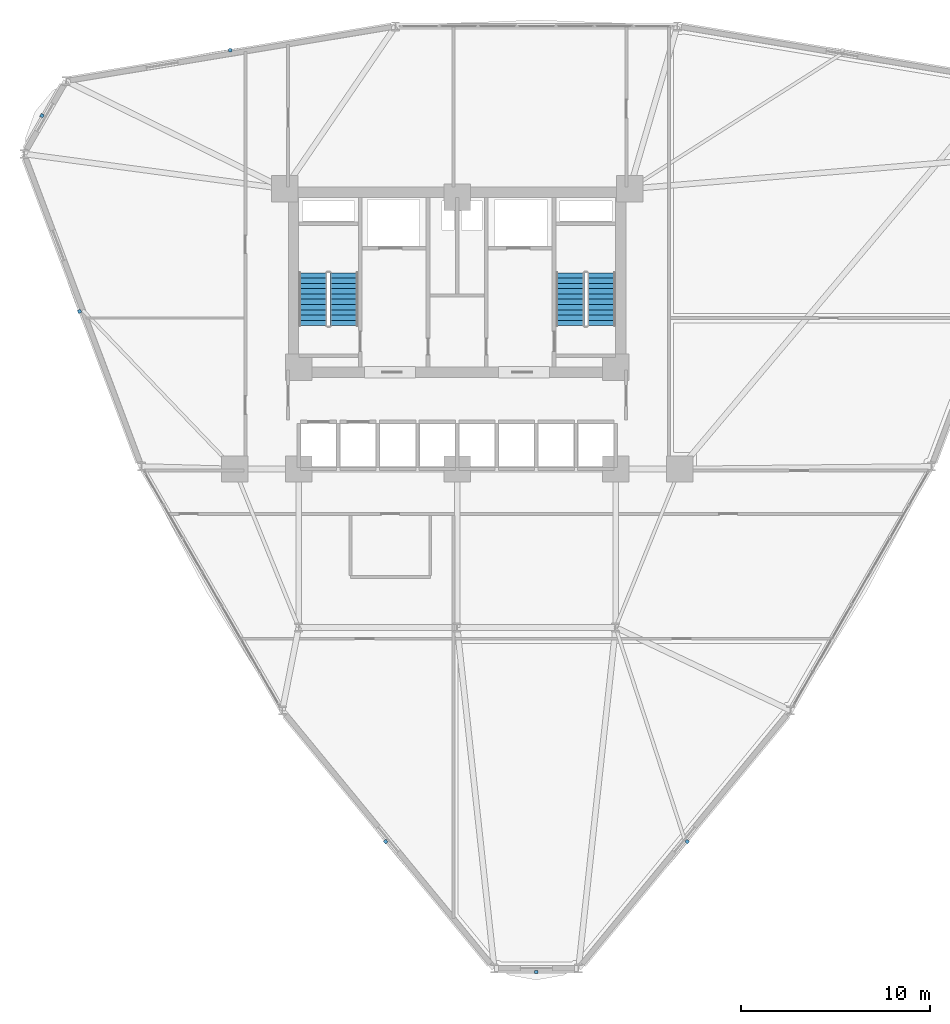
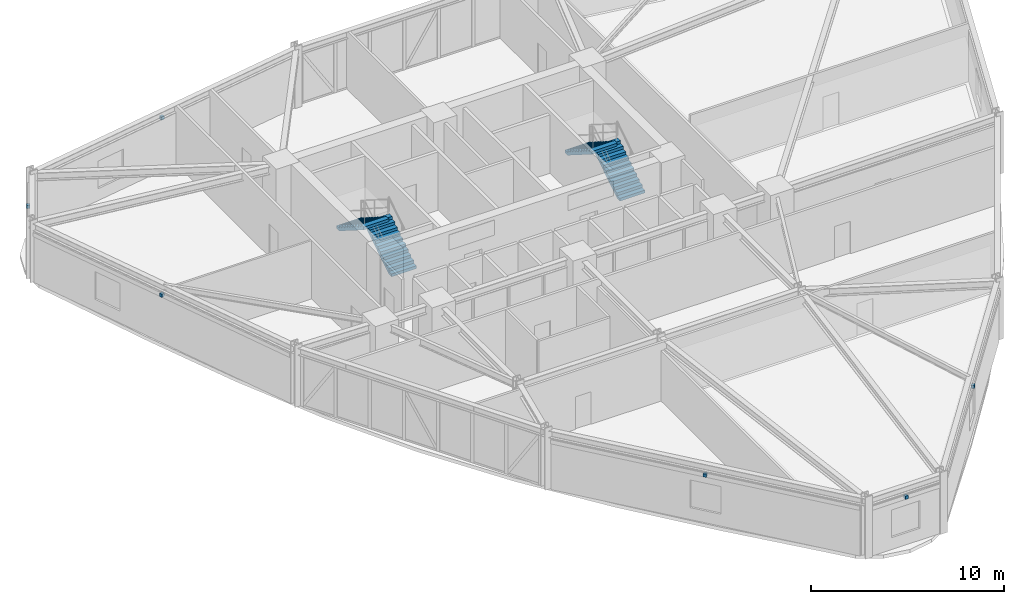
# One storey, part 16 of 20: 6 discrete accessories, 4 stair flights, 2 elements without a shape of their own.
"""IFC4 building model written with IfcOpenShell, lengths in metres."""

import ifcopenshell
import ifcopenshell.guid

model = None  # the IFC model being written
_history = None  # IfcOwnerHistory: only IFC2X3 demands one
_inside = {}  # id of a spatial element -> (the spatial element, [elements in it])
_under = {}  # id of a project, library or spatial element -> (it, [spatial elements below it])
_declared = {}  # id of a project -> (the project, [libraries it declares])
_typed = {}  # id of a type object -> (the type object, [elements of that type])
_made_of = {}  # id of a material, layer set ... -> (it, [elements and type objects made of it])


def new_model(schema):
    """Start an empty IFC model of exactly this schema.

    Asked for "IFC4X3", IfcOpenShell would pick the latest addendum, in which some entities
    have other attributes; the version numbers below select the first issue.
    IFC2X3 requires an IfcOwnerHistory on every rooted entity: one is made here for all.
    """
    global model, _history
    if schema == "IFC4X3":
        model = ifcopenshell.file(schema_version=(4, 3, 0, 0))
    else:
        model = ifcopenshell.file(schema=schema)
    _inside.clear()
    _under.clear()
    _declared.clear()
    _typed.clear()
    _made_of.clear()
    _history = None
    if model.schema == "IFC2X3":
        org = make("IfcOrganization", Name="unknown")
        user = make(
            "IfcPersonAndOrganization",
            ThePerson=make("IfcPerson", FamilyName="unknown"),
            TheOrganization=org,
        )
        app = make(
            "IfcApplication",
            ApplicationDeveloper=org,
            Version="unknown",
            ApplicationFullName="unknown",
            ApplicationIdentifier="unknown",
        )
        _history = make(
            "IfcOwnerHistory",
            OwningUser=user,
            OwningApplication=app,
            ChangeAction="ADDED",
            CreationDate=0,
        )
    return model


def make(cls, **values):
    """One entity of the class cls with the attributes given. An attribute that is None is left unset."""
    return model.create_entity(
        cls, **{name: value for name, value in values.items() if value is not None}
    )


def rooted(cls, **values):
    """An entity with a GlobalId (a new one), such as an element, a storey or a relation."""
    return make(cls, GlobalId=ifcopenshell.guid.new(), OwnerHistory=_history, **values)


def si_unit(unit_type, name, prefix=None):
    """IfcSIUnit, for example si_unit("LENGTHUNIT", "METRE", prefix="MILLI")."""
    return make("IfcSIUnit", UnitType=unit_type, Prefix=prefix, Name=name)


def derived_unit(unit_type, elements):
    """IfcDerivedUnit: a product of units, each with its exponent."""
    return make(
        "IfcDerivedUnit",
        Elements=[
            make("IfcDerivedUnitElement", Unit=unit, Exponent=power)
            for unit, power in elements
        ],
        UnitType=unit_type,
    )


def assignment(units):
    """IfcUnitAssignment: the units of a project."""
    return None if units is None else make("IfcUnitAssignment", Units=units)


def point(xyz):
    """IfcCartesianPoint."""
    return None if xyz is None else make("IfcCartesianPoint", Coordinates=xyz)


def direction(xyz):
    """IfcDirection."""
    return None if xyz is None else make("IfcDirection", DirectionRatios=xyz)


def frame(location, z_axis=None, x_axis=None):
    """IfcAxis2Placement3D, a coordinate frame: its origin and axes. An axis left out is left unset."""
    return make(
        "IfcAxis2Placement3D",
        Location=point(location),
        Axis=direction(z_axis),
        RefDirection=direction(x_axis),
    )


def frame_2d(location, x_axis=None):
    """IfcAxis2Placement2D, a coordinate frame in the plane: its origin and x axis."""
    return make(
        "IfcAxis2Placement2D", Location=point(location), RefDirection=direction(x_axis)
    )


def origin():
    """The frame at (0, 0, 0) with its axes left unset."""
    return frame((0.0, 0.0, 0.0))


def origin_2d():
    """The frame at (0, 0) in the plane with its x axis left unset."""
    return frame_2d((0.0, 0.0))


def place(relative_to, where):
    """IfcLocalPlacement: puts the frame where relative to a parent placement (None: the world)."""
    return make(
        "IfcLocalPlacement", PlacementRelTo=relative_to, RelativePlacement=where
    )


def context(
    kind, dimensions, precision=None, world=None, true_north=None, identifier=None
):
    """IfcGeometricRepresentationContext, for example the 3D "Model" context."""
    return make(
        "IfcGeometricRepresentationContext",
        ContextIdentifier=identifier,
        ContextType=kind,
        CoordinateSpaceDimension=dimensions,
        Precision=precision,
        WorldCoordinateSystem=world,
        TrueNorth=true_north,
    )


def subcontext(parent, identifier, kind, view, scale=None):
    """IfcGeometricRepresentationSubContext, for example "Body" below "Model"."""
    return make(
        "IfcGeometricRepresentationSubContext",
        ContextIdentifier=identifier,
        ContextType=kind,
        ParentContext=parent,
        TargetScale=scale,
        TargetView=view,
    )


def project(units=None, contexts=None):
    """IfcProject with its units and contexts."""
    return rooted(
        "IfcProject",
        Name="project",
        RepresentationContexts=contexts,
        UnitsInContext=assignment(units),
    )


def spatial(cls, under=None, at=None, **own):
    """A site, building, storey or space (cls), placed at a placement, below another one or the project."""
    s = rooted(cls, ObjectPlacement=at, **own)
    if under is not None:
        _under.setdefault(under.id(), (under, []))[1].append(s)
    return s


def polyline(points):
    """IfcPolyline through the points."""
    return make("IfcPolyline", Points=[point(p) for p in points])


def profile(cls, at=None, kind="AREA", **sizes):
    """A parametric profile (cls). Its sizes go by their IFC names, for example OverallWidth=200.0."""
    return make(cls, ProfileType=kind, Position=at, **sizes)


def rectangle(**sizes):
    """IfcRectangleProfileDef."""
    return profile("IfcRectangleProfileDef", **sizes)


def outline(outer, holes=None, kind="AREA"):
    """IfcArbitraryClosedProfileDef: a profile drawn as a closed curve; with holes, ...WithVoids."""
    if holes is None:
        return make("IfcArbitraryClosedProfileDef", ProfileType=kind, OuterCurve=outer)
    return make(
        "IfcArbitraryProfileDefWithVoids",
        ProfileType=kind,
        OuterCurve=outer,
        InnerCurves=holes,
    )


def extrude(swept, where, along, depth):
    """IfcExtrudedAreaSolid: the profile swept, set in the frame where, extruded along a direction by depth."""
    return make(
        "IfcExtrudedAreaSolid",
        SweptArea=swept,
        Position=where,
        ExtrudedDirection=direction(along),
        Depth=depth,
    )


def shape(context_of_items, identifier, shape_type, items):
    """IfcShapeRepresentation: the items that make up one representation, for example the "Body"."""
    return make(
        "IfcShapeRepresentation",
        ContextOfItems=context_of_items,
        RepresentationIdentifier=identifier,
        RepresentationType=shape_type,
        Items=items,
    )


def source(mapping_origin, context_of_items, identifier, shape_type, items):
    """IfcRepresentationMap: a shape defined once, which mapped items show again and again."""
    return make(
        "IfcRepresentationMap",
        MappingOrigin=mapping_origin,
        MappedRepresentation=shape(context_of_items, identifier, shape_type, items),
    )


def transform(
    local_origin,
    x_axis=None,
    y_axis=None,
    z_axis=None,
    scale=None,
    scale2=None,
    scale3=None,
    uniform=True,
):
    """IfcCartesianTransformationOperator3D, or its non-uniform kind. x_axis, y_axis, z_axis: its Axis1, 2, 3."""
    if uniform:
        return make(
            "IfcCartesianTransformationOperator3D",
            Axis1=direction(x_axis),
            Axis2=direction(y_axis),
            LocalOrigin=point(local_origin),
            Scale=scale,
            Axis3=direction(z_axis),
        )
    return make(
        "IfcCartesianTransformationOperator3DnonUniform",
        Axis1=direction(x_axis),
        Axis2=direction(y_axis),
        LocalOrigin=point(local_origin),
        Scale=scale,
        Axis3=direction(z_axis),
        Scale2=scale2,
        Scale3=scale3,
    )


def mapped(mapping_source, mapping_target):
    """IfcMappedItem: shows the shape of a source again, moved by a transform."""
    return make(
        "IfcMappedItem", MappingSource=mapping_source, MappingTarget=mapping_target
    )


def material(Name=None, Category=None):
    """IfcMaterial."""
    return make("IfcMaterial", Name=Name, Category=Category)


def made_of(thing, what):
    """Note that an element or type object is made of a material, layer set ...; save() writes the relation."""
    if what is not None:
        _made_of.setdefault(what.id(), (what, []))[1].append(thing)
    return thing


def type_object(cls, material=None, **own):
    """A type object (cls), such as IfcWallType, which elements share."""
    return made_of(rooted(cls, **own), material)


def element(
    cls,
    number,
    at=None,
    inside=None,
    cuts=None,
    type_object=None,
    material=None,
    context=None,
    identifier="Body",
    shape_type=None,
    held_by="IfcProductDefinitionShape",
    body=None,
    shapes=None,
    **own,
):
    """One element of the class cls, such as IfcWall. Its Tag is "e" and its number.

    at: its placement. inside: the storey or other place that contains it. cuts: it is an
    opening in that element (IfcRelVoidsElement). A single representation is given by context,
    identifier, shape_type and body (its items); several are given by shapes. held_by: the class
    of the entity that holds the representations. save() writes the other relations.
    """
    e = rooted(cls, Tag="e%d" % number, ObjectPlacement=at, **own)
    if body is not None:
        shapes = [shape(context, identifier, shape_type, body)]
    if shapes is not None:
        e.Representation = make(held_by, Representations=shapes)
    if inside is not None:
        _inside.setdefault(inside.id(), (inside, []))[1].append(e)
    if cuts is not None:
        rooted(
            "IfcRelVoidsElement", RelatingBuildingElement=cuts, RelatedOpeningElement=e
        )
    if type_object is not None:
        _typed.setdefault(type_object.id(), (type_object, []))[1].append(e)
    return made_of(e, material)


def aggregate(whole, parts):
    """IfcRelAggregates: a whole, such as a stair, and the parts it consists of."""
    return rooted("IfcRelAggregates", RelatingObject=whole, RelatedObjects=parts)


def save(model, path):
    """Write the relations noted so far, then the file.

    IfcRelAggregates (storeys below a building ...), IfcRelContainedInSpatialStructure (elements
    in a storey), IfcRelDefinesByType, IfcRelAssociatesMaterial and IfcRelDeclares: one each for
    every whole, place, type object, material and project.
    """
    for whole, parts in _under.values():
        aggregate(whole, parts)
    for where, things in _inside.values():
        rooted(
            "IfcRelContainedInSpatialStructure",
            RelatedElements=things,
            RelatingStructure=where,
        )
    for kind, things in _typed.values():
        rooted("IfcRelDefinesByType", RelatedObjects=things, RelatingType=kind)
    for what, things in _made_of.values():
        rooted("IfcRelAssociatesMaterial", RelatedObjects=things, RelatingMaterial=what)
    for by, libraries in _declared.values():
        rooted("IfcRelDeclares", RelatingContext=by, RelatedDefinitions=libraries)
    model.write(path)


model = new_model("IFC4")

# Units and contexts
model_context = context("Model", 3, precision=1e-05, world=origin(), true_north=direction((0.0, 1.0)))
body_context = subcontext(model_context, "Body", "Model", "MODEL_VIEW")
ifc_project = project(units=[si_unit("LENGTHUNIT", "METRE"), si_unit("AREAUNIT", "SQUARE_METRE"), si_unit("VOLUMEUNIT", "CUBIC_METRE"), si_unit("PLANEANGLEUNIT", "RADIAN"), si_unit("MASSUNIT", "GRAM", prefix="KILO"), derived_unit("THERMALTRANSMITTANCEUNIT", [(si_unit("POWERUNIT", "WATT"), 1), (si_unit("LENGTHUNIT", "METRE"), -2), (si_unit("THERMODYNAMICTEMPERATUREUNIT", "KELVIN"), -1)])], contexts=[model_context])

# Site, building, storey
site_placement = place(None, origin())
site = spatial("IfcSite", under=ifc_project, at=site_placement, CompositionType="ELEMENT")
building_placement = place(site_placement, origin())
building = spatial("IfcBuilding", under=site, at=building_placement, Name="Korsvarv Bourse and Concert Hall", CompositionType="ELEMENT")
storey_placement = place(building_placement, frame((0.0, 0.0, 79.5)))
storey = spatial("IfcBuildingStorey", under=building, at=storey_placement, Name="L19", CompositionType="ELEMENT", Elevation=79.5)

# Stair, stair flights
ifc_material_1 = material(Name="Precast concrete C45/55", Category="concrete")
stair_type = type_object("IfcStairType", Name="STR-TYPE-03", PredefinedType="HALF_TURN_STAIR", material=ifc_material_1)
stair_1_placement = place(storey_placement, origin())
stair_1 = element("IfcStair", 1, at=stair_1_placement, inside=storey, type_object=stair_type, Name="L19 Tower West Exit Stair ST-T1", PredefinedType="HALF_TURN_STAIR")
stair_flight_type = type_object("IfcStairFlightType", Name="FLT-TYPE-03", PredefinedType="STRAIGHT", material=ifc_material_1)
stair_flight_1_placement = place(storey_placement, frame((30.010009765625, 40.0, 0.0), z_axis=(0.0, 0.0, 1.0), x_axis=(0.0, 1.0, 0.0)))
stair_flight_1 = element("IfcStairFlight", 2, at=stair_flight_1_placement, type_object=stair_flight_type, Name="ST-T1 flight 1", NumberOfRisers=11, NumberOfTreads=10, PredefinedType="STRAIGHT", RiserHeight=0.177272727, TreadLength=0.28, context=body_context, shape_type="SweptSolid", body=[
    extrude(outline(polyline([(0.0, 0.0), (0.0, 0.17724609375), (0.280029296875, 0.17724609375), (0.280029296875, 0.3544921875), (0.56005859375, 0.3544921875), (0.56005859375, 0.53173828125), (0.840087890625, 0.53173828125), (0.840087890625, 0.708984375), (1.1201171875, 0.708984375), (1.1201171875, 0.886474609375), (1.39990234375, 0.886474609375), (1.39990234375, 1.063720703125), (1.679931640625, 1.063720703125), (1.679931640625, 1.240966796875), (1.9599609375, 1.240966796875), (1.9599609375, 1.418212890625), (2.239990234375, 1.418212890625), (2.239990234375, 1.595458984375), (2.52001953125, 1.595458984375), (2.52001953125, 1.772705078125), (2.800048828125, 1.772705078125), (2.800048828125, 1.949951171875), (2.800048828125, 1.59521484375), (0.2802734375, 0.0), (0.0, 0.0)])), frame((0.0, 0.75, 0.0), z_axis=(0.0, -1.0, 0.0), x_axis=(1.0, 0.0, 0.0)), (0.0, 0.0, 1.0), 1.5),
])
stair_flight_2_placement = place(storey_placement, frame((28.35009765625, 42.800048828125, 1.949951171875), z_axis=(0.0, 0.0, 1.0), x_axis=(0.0, -1.0, 0.0)))
stair_flight_2 = element("IfcStairFlight", 3, at=stair_flight_2_placement, type_object=stair_flight_type, Name="ST-T1 flight 2", NumberOfRisers=11, NumberOfTreads=10, PredefinedType="STRAIGHT", RiserHeight=0.177272727, TreadLength=0.28, context=body_context, shape_type="SweptSolid", body=[
    extrude(outline(polyline([(0.0, 0.0), (0.0, 0.17724609375), (0.280029296875, 0.17724609375), (0.280029296875, 0.3544921875), (0.56005859375, 0.3544921875), (0.56005859375, 0.53173828125), (0.840087890625, 0.53173828125), (0.840087890625, 0.708984375), (1.1201171875, 0.708984375), (1.1201171875, 0.886474609375), (1.39990234375, 0.886474609375), (1.39990234375, 1.063720703125), (1.679931640625, 1.063720703125), (1.679931640625, 1.240966796875), (1.9599609375, 1.240966796875), (1.9599609375, 1.418212890625), (2.239990234375, 1.418212890625), (2.239990234375, 1.595458984375), (2.52001953125, 1.595458984375), (2.52001953125, 1.772705078125), (2.800048828125, 1.772705078125), (2.800048828125, 1.949951171875), (2.800048828125, 1.59521484375), (0.2802734375, 0.0), (0.0, 0.0)])), frame((0.0, 0.75, 0.0), z_axis=(0.0, -1.0, 0.0), x_axis=(1.0, 0.0, 0.0)), (0.0, 0.0, 1.0), 1.5),
])
aggregate(stair_1, [stair_flight_1, stair_flight_2])

stair_2_placement = place(storey_placement, origin())
stair_2 = element("IfcStair", 4, at=stair_2_placement, inside=storey, type_object=stair_type, Name="L19 Tower East Exit Stair ST-T2", PredefinedType="HALF_TURN_STAIR")
stair_flight_3_placement = place(storey_placement, frame((43.64990234375, 40.0, 0.0), z_axis=(0.0, 0.0, 1.0), x_axis=(0.0, 1.0, 0.0)))
stair_flight_3 = element("IfcStairFlight", 5, at=stair_flight_3_placement, type_object=stair_flight_type, Name="ST-T2 flight 1", NumberOfRisers=11, NumberOfTreads=10, PredefinedType="STRAIGHT", RiserHeight=0.177272727, TreadLength=0.28, context=body_context, shape_type="SweptSolid", body=[
    extrude(outline(polyline([(0.0, 0.0), (0.0, 0.17724609375), (0.280029296875, 0.17724609375), (0.280029296875, 0.3544921875), (0.56005859375, 0.3544921875), (0.56005859375, 0.53173828125), (0.840087890625, 0.53173828125), (0.840087890625, 0.708984375), (1.1201171875, 0.708984375), (1.1201171875, 0.886474609375), (1.39990234375, 0.886474609375), (1.39990234375, 1.063720703125), (1.679931640625, 1.063720703125), (1.679931640625, 1.240966796875), (1.9599609375, 1.240966796875), (1.9599609375, 1.418212890625), (2.239990234375, 1.418212890625), (2.239990234375, 1.595458984375), (2.52001953125, 1.595458984375), (2.52001953125, 1.772705078125), (2.800048828125, 1.772705078125), (2.800048828125, 1.949951171875), (2.800048828125, 1.59521484375), (0.2802734375, 0.0), (0.0, 0.0)])), frame((0.0, 0.75, 0.0), z_axis=(0.0, -1.0, 0.0), x_axis=(1.0, 0.0, 0.0)), (0.0, 0.0, 1.0), 1.5),
])
stair_flight_4_placement = place(storey_placement, frame((41.989990234375, 42.800048828125, 1.949951171875), z_axis=(0.0, 0.0, 1.0), x_axis=(0.0, -1.0, 0.0)))
stair_flight_4 = element("IfcStairFlight", 6, at=stair_flight_4_placement, type_object=stair_flight_type, Name="ST-T2 flight 2", NumberOfRisers=11, NumberOfTreads=10, PredefinedType="STRAIGHT", RiserHeight=0.177272727, TreadLength=0.28, context=body_context, shape_type="SweptSolid", body=[
    extrude(outline(polyline([(0.0, 0.0), (0.0, 0.17724609375), (0.280029296875, 0.17724609375), (0.280029296875, 0.3544921875), (0.56005859375, 0.3544921875), (0.56005859375, 0.53173828125), (0.840087890625, 0.53173828125), (0.840087890625, 0.708984375), (1.1201171875, 0.708984375), (1.1201171875, 0.886474609375), (1.39990234375, 0.886474609375), (1.39990234375, 1.063720703125), (1.679931640625, 1.063720703125), (1.679931640625, 1.240966796875), (1.9599609375, 1.240966796875), (1.9599609375, 1.418212890625), (2.239990234375, 1.418212890625), (2.239990234375, 1.595458984375), (2.52001953125, 1.595458984375), (2.52001953125, 1.772705078125), (2.800048828125, 1.772705078125), (2.800048828125, 1.949951171875), (2.800048828125, 1.59521484375), (0.2802734375, 0.0), (0.0, 0.0)])), frame((0.0, 0.75, 0.0), z_axis=(0.0, -1.0, 0.0), x_axis=(1.0, 0.0, 0.0)), (0.0, 0.0, 1.0), 1.5),
])
aggregate(stair_2, [stair_flight_3, stair_flight_4])

# Discrete accessories
ifc_material_2 = material(Name="Stainless Steel S355 facade outrigger bracket", Category="steel")
discrete_accessory_type = type_object("IfcDiscreteAccessoryType", Name="ACC-BRK-1", PredefinedType="BRACKET", material=ifc_material_2)
shared_shape = source(origin(), body_context, "Body", "SweptSolid", [
    extrude(rectangle(XDim=0.179931640625, YDim=0.179931640625, at=origin_2d()), origin(), (0.0, 0.0, 1.0), 0.199951171875),
])
for number, where, z_axis, x_axis, name in (
    (7, (23.97216796875, 54.597412109375, 2.97021484375), (0.0, 0.0, 1.0), (-0.986515089987, -0.163670330935, 0.0), "L19 terracotta sunshade bracket EW-L19-B04"),
    (8, (13.990478515625, 51.132080078125, 2.97021484375), (0.0, 0.0, 1.0), (-0.5, -0.866025403784, 0.0), "L19 terracotta sunshade bracket EW-L19-B05"),
    (9, (15.980224609375, 40.7548828125, 2.97021484375), (0.0, 0.0, 1.0), (0.351514880558, -0.936182294613, 0.0), "L19 terracotta sunshade bracket EW-L19-B06"),
    (10, (32.2080078125, 12.647705078125, 2.97021484375), (0.0, 0.0, 1.0), (0.635000209429, -0.772511963678, 0.0), "L19 terracotta sunshade bracket EW-L19-B08"),
    (11, (40.199951171875, 5.73583984375, 2.97021484375), (0.0, 0.0, 1.0), (1.0, 0.0, 0.0), "L19 terracotta sunshade bracket EW-L19-B09"),
    (12, (48.19189453125, 12.647705078125, 2.97021484375), (0.0, 0.0, 1.0), (0.635000209429, 0.772511963678, 0.0), "L19 terracotta sunshade bracket EW-L19-B10"),
):
    element("IfcDiscreteAccessory", number, at=place(storey_placement, frame(where, z_axis=z_axis, x_axis=x_axis)), inside=storey, type_object=discrete_accessory_type, Name=name, PredefinedType="BRACKET", context=body_context, shape_type="MappedRepresentation", body=[
        mapped(shared_shape, transform((0.0, 0.0, 0.0), scale=1.0)),
    ])

save(model, "model.ifc")
